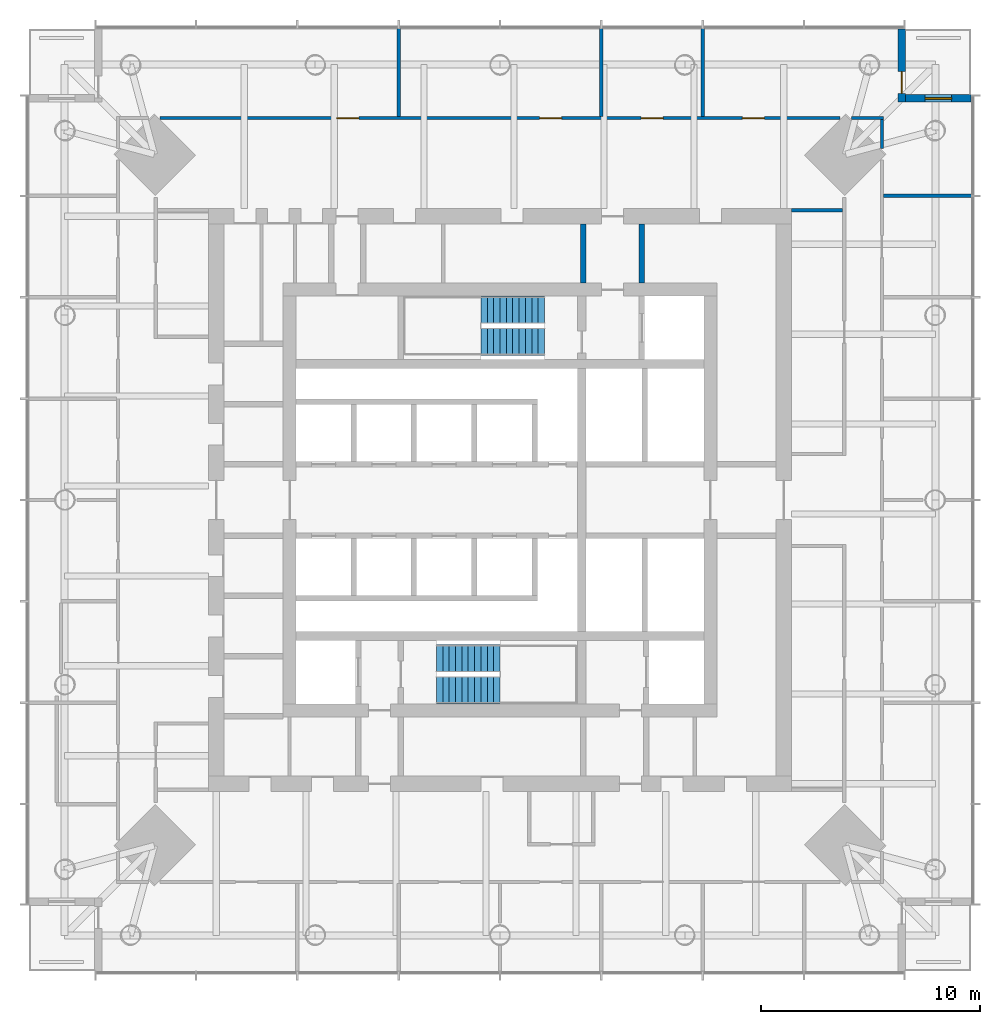
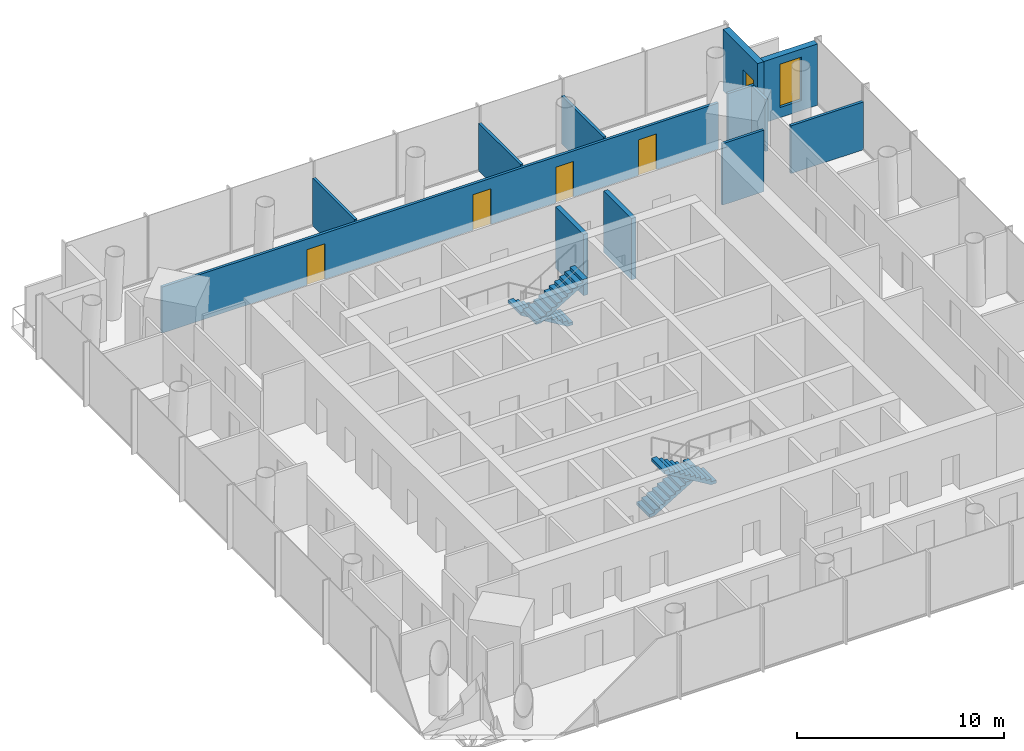
# One storey, part 8 of 9: 12 walls, 5 doors, 4 stair flights, 1 window, 6 openings, 2 elements without a shape of their own.
"""IFC4 building model written with IfcOpenShell, lengths in metres."""

from ifc_helpers import new_model, si_unit, direction, frame, frame_2d, origin, place, context, subcontext, project, spatial, polyline, rectangle, outline, extrude, material, layer, layer_set, type_object, element, fill, aggregate, save


model = new_model("IFC4")

# Units and contexts
model_context = context("Model", 3, precision=1e-05, world=origin(), true_north=direction((0.0, 1.0)))
body_context = subcontext(model_context, "Body", "Model", "MODEL_VIEW")
ifc_project = project(units=[si_unit("LENGTHUNIT", "METRE"), si_unit("AREAUNIT", "SQUARE_METRE"), si_unit("VOLUMEUNIT", "CUBIC_METRE"), si_unit("PLANEANGLEUNIT", "RADIAN"), si_unit("MASSUNIT", "GRAM", prefix="KILO")], contexts=[model_context])

# Site, building, storey
site_placement = place(None, origin())
site = spatial("IfcSite", under=ifc_project, at=site_placement, CompositionType="ELEMENT")
building_placement = place(site_placement, origin())
building = spatial("IfcBuilding", under=site, at=building_placement, Name="Ostroluk Exchange", CompositionType="ELEMENT")
storey_placement = place(building_placement, frame((0.0, 0.0, 150.199951171875)))
storey = spatial("IfcBuildingStorey", under=building, at=storey_placement, Name="L38", CompositionType="ELEMENT", Elevation=150.199951171875)

# Walls
ifc_material_1 = material(Name="Concrete blockwork", Category="masonry")
ifc_layer_1 = layer(ifc_material_1, 0.25)
ifc_layer_set_1 = layer_set([ifc_layer_1], Name="Blockwork stair enclosure wall 250")
wall_type_1 = type_object("IfcWallType", Name="Blockwork stair enclosure wall 250", PredefinedType="SOLIDWALL", material=ifc_layer_set_1)
for number, where, z_axis, x_axis, name in (
    (1, (48.804931640625, 55.89990234375, 0.0), (0.0, 0.0, 1.0), (0.0, 1.0, 0.0), "Fire lobby enclosure wall"),
    (2, (51.47509765625, 55.89990234375, 0.0), (0.0, 0.0, 1.0), (0.0, 1.0, 0.0), "Fire lobby enclosure wall"),
):
    element("IfcWall", number, at=place(storey_placement, frame(where, z_axis=z_axis, x_axis=x_axis)), inside=storey, type_object=wall_type_1, Name=name, PredefinedType="SOLIDWALL", context=body_context, shape_type="SweptSolid", body=[
        extrude(rectangle(XDim=2.7001953125, YDim=0.25, at=frame_2d((1.35009765625, 0.0))), origin(), (0.0, 0.0, 1.0), 3.6201171875),
    ])

# Wall, opening, door
ifc_material_2 = material(Name="Limestone", Category="masonry")
ifc_layer_2 = layer(ifc_material_2, 0.35009765625)
ifc_layer_set_2 = layer_set([ifc_layer_2], Name="Limestone facade wall 350")
wall_type_2 = type_object("IfcWallType", Name="Limestone facade wall 350", PredefinedType="SOLIDWALL", material=ifc_layer_set_2)
wall_1_placement = place(storey_placement, frame((63.324951171875, 67.5, 0.0), z_axis=(0.0, 0.0, 1.0), x_axis=(0.0, -1.0, 0.0)))
wall_1 = element("IfcWall", 3, at=wall_1_placement, inside=storey, type_object=wall_type_2, Name="Office tower NE corner wall L38 a", PredefinedType="SOLIDWALL", context=body_context, shape_type="SweptSolid", body=[
    extrude(rectangle(XDim=3.35009765625, YDim=0.35009765625, at=frame_2d((1.675048828125, 0.0))), origin(), (0.0, 0.0, 1.0), 3.6201171875),
])
opening_1_placement = place(wall_1_placement, frame((1.949951171875, 0.0, 0.0)))
opening_1 = element("IfcOpeningElement", 4, at=opening_1_placement, cuts=wall_1, Name="Opening D-B1", PredefinedType="OPENING", context=body_context, shape_type="SweptSolid", body=[
    extrude(rectangle(XDim=1.0, YDim=2.39990234375, at=frame_2d((0.5, 1.199951171875))), frame((0.0, 0.18505859375, 0.0), z_axis=(0.0, -1.0, 0.0), x_axis=(1.0, 0.0, 0.0)), (0.0, 0.0, 1.0), 0.3701171875),
])
ifc_material_3 = material(Name="Bronze framed glazed door", Category="aluminium")
door_type_1 = type_object("IfcDoorType", Name="Balcony door 1000 x 2400", OperationType="SINGLE_SWING_LEFT", PredefinedType="DOOR", material=ifc_material_3)
door_1_placement = place(opening_1_placement, origin())
door_1 = element("IfcDoor", 5, at=door_1_placement, inside=storey, type_object=door_type_1, Name="Office tower NE balcony door L38", OperationType="SINGLE_SWING_RIGHT", OverallHeight=2.39990234375, OverallWidth=1.0, PredefinedType="DOOR", context=body_context, shape_type="SweptSolid", body=[
    extrude(rectangle(XDim=1.0, YDim=2.39990234375, at=frame_2d((0.5, 1.199951171875))), frame((0.0, 0.02490234375, 0.0), z_axis=(0.0, -1.0, 0.0), x_axis=(1.0, 0.0, 0.0)), (0.0, 0.0, 1.0), 0.050048828125),
])
fill(opening_1, door_1)

# Wall, opening, window
wall_2_placement = place(storey_placement, frame((63.5, 64.324951171875, 0.0), z_axis=(0.0, 0.0, 1.0), x_axis=(1.0, 0.0, 0.0)))
wall_2 = element("IfcWall", 6, at=wall_2_placement, inside=storey, type_object=wall_type_2, Name="Office tower NE corner wall L38 b", PredefinedType="SOLIDWALL", context=body_context, shape_type="SweptSolid", body=[
    extrude(rectangle(XDim=3.0, YDim=0.35009765625, at=frame_2d((1.5, 0.0))), origin(), (0.0, 0.0, 1.0), 3.6201171875),
])
opening_2_placement = place(wall_2_placement, frame((0.89990234375, 0.0, 0.60009765625)))
opening_2 = element("IfcOpeningElement", 7, at=opening_2_placement, cuts=wall_2, Name="Opening WN-L1", PredefinedType="OPENING", context=body_context, shape_type="SweptSolid", body=[
    extrude(rectangle(XDim=1.199951171875, YDim=2.550048828125, at=frame_2d((0.60009765625, 1.27490234375))), frame((0.0, 0.18505859375, 0.0), z_axis=(0.0, -1.0, 0.0), x_axis=(1.0, 0.0, 0.0)), (0.0, 0.0, 1.0), 0.3701171875),
])
ifc_material_4 = material(Name="Laminated clear glass", Category="glass")
window_type = type_object("IfcWindowType", Name="Lancet window 1200 x 2550", PartitioningType="SINGLE_PANEL", PredefinedType="WINDOW", material=ifc_material_4)
window_placement = place(opening_2_placement, origin())
window = element("IfcWindow", 8, at=window_placement, inside=storey, type_object=window_type, Name="Office tower NE lancet window L38", OverallHeight=2.550048828125, OverallWidth=1.199951171875, PartitioningType="SINGLE_PANEL", PredefinedType="WINDOW", context=body_context, shape_type="SweptSolid", body=[
    extrude(rectangle(XDim=1.199951171875, YDim=2.550048828125, at=frame_2d((0.60009765625, 1.27490234375))), frame((0.0, 0.030029296875, 0.0), z_axis=(0.0, -1.0, 0.0), x_axis=(1.0, 0.0, 0.0)), (0.0, 0.0, 1.0), 0.06005859375),
])
fill(opening_2, window)

# Walls
ifc_material_5 = material(Name="Gypsum plasterboard partition", Category="gypsum")
ifc_layer_3 = layer(ifc_material_5, 0.14990234375)
ifc_layer_set_3 = layer_set([ifc_layer_3], Name="Plasterboard partition 150")
wall_type_3 = type_object("IfcWallType", Name="Plasterboard partition 150", PredefinedType="PARTITIONING", material=ifc_layer_set_3)
wall_3_placement = place(storey_placement, frame((58.300048828125, 59.22509765625, 0.0), z_axis=(0.0, 0.0, 1.0), x_axis=(1.0, 0.0, 0.0)))
element("IfcWall", 9, at=wall_3_placement, inside=storey, type_object=wall_type_3, Name="Partition", PredefinedType="PARTITIONING", context=body_context, shape_type="SweptSolid", body=[
    extrude(rectangle(XDim=2.324951171875, YDim=0.14990234375, at=frame_2d((1.16259765625, 0.0))), origin(), (0.0, 0.0, 1.0), 3.6201171875),
])
wall_4_placement = place(storey_placement, frame((62.425048828125, 62.03125, 0.0), z_axis=(0.0, 0.0, 1.0), x_axis=(0.0, 1.0, 0.0)))
element("IfcWall", 10, at=wall_4_placement, inside=storey, type_object=wall_type_3, Name="Partition", PredefinedType="PARTITIONING", context=body_context, shape_type="SweptSolid", body=[
    extrude(rectangle(XDim=1.31884765625, YDim=0.14990234375, at=frame_2d((0.659423828125, 0.0))), origin(), (0.0, 0.0, 1.0), 3.070068359375),
])
wall_5_placement = place(storey_placement, frame((62.5, 59.875, 0.0), z_axis=(0.0, 0.0, 1.0), x_axis=(1.0, 0.0, 0.0)))
element("IfcWall", 11, at=wall_5_placement, inside=storey, type_object=wall_type_3, Name="Partition", PredefinedType="PARTITIONING", context=body_context, shape_type="SweptSolid", body=[
    extrude(rectangle(XDim=4.0400390625, YDim=0.14990234375, at=frame_2d((2.02001953125, 0.0))), origin(), (0.0, 0.0, 1.0), 2.820068359375),
])
wall_6_placement = place(storey_placement, frame((62.5, 63.425048828125, 0.0), z_axis=(0.0, 0.0, 1.0), x_axis=(-1.0, 0.0, 0.0)))
element("IfcWall", 12, at=wall_6_placement, inside=storey, type_object=wall_type_3, Name="Partition", PredefinedType="PARTITIONING", context=body_context, shape_type="SweptSolid", body=[
    extrude(rectangle(XDim=1.46875, YDim=0.14990234375, at=frame_2d((0.734375, 0.0))), origin(), (0.0, 0.0, 1.0), 3.070068359375),
])

# Wall, openings, doors
wall_7_placement = place(storey_placement, frame((60.511474609375, 63.425048828125, 0.0), z_axis=(0.0, 0.0, 1.0), x_axis=(-1.0, 0.0, 0.0)))
wall_7 = element("IfcWall", 13, at=wall_7_placement, inside=storey, type_object=wall_type_3, Name="Partition", PredefinedType="PARTITIONING", context=body_context, shape_type="SweptSolid", body=[
    extrude(rectangle(XDim=31.02294921875, YDim=0.14990234375, at=frame_2d((15.511474609375, 0.0))), origin(), (0.0, 0.0, 1.0), 2.719970703125),
])
opening_3_placement = place(wall_7_placement, frame((3.448974609375, 0.0, 0.0)))
opening_3 = element("IfcOpeningElement", 14, at=opening_3_placement, cuts=wall_7, Name="Opening D-03", PredefinedType="OPENING", context=body_context, shape_type="SweptSolid", body=[
    extrude(rectangle(XDim=1.0, YDim=2.10009765625, at=frame_2d((0.5, 1.050048828125))), frame((0.0, 0.0849609375, 0.0), z_axis=(0.0, -1.0, 0.0), x_axis=(1.0, 0.0, 0.0)), (0.0, 0.0, 1.0), 0.169921875),
])
opening_4_placement = place(wall_7_placement, frame((8.073974609375, 0.0, 0.0)))
opening_4 = element("IfcOpeningElement", 15, at=opening_4_placement, cuts=wall_7, Name="Opening D-03", PredefinedType="OPENING", context=body_context, shape_type="SweptSolid", body=[
    extrude(rectangle(XDim=1.0, YDim=2.10009765625, at=frame_2d((0.5, 1.050048828125))), frame((0.0, 0.0849609375, 0.0), z_axis=(0.0, -1.0, 0.0), x_axis=(1.0, 0.0, 0.0)), (0.0, 0.0, 1.0), 0.169921875),
])
opening_5_placement = place(wall_7_placement, frame((12.698974609375, 0.0, 0.0)))
opening_5 = element("IfcOpeningElement", 16, at=opening_5_placement, cuts=wall_7, Name="Opening D-03", PredefinedType="OPENING", context=body_context, shape_type="SweptSolid", body=[
    extrude(rectangle(XDim=1.0, YDim=2.10009765625, at=frame_2d((0.5, 1.050048828125))), frame((0.0, 0.0849609375, 0.0), z_axis=(0.0, -1.0, 0.0), x_axis=(1.0, 0.0, 0.0)), (0.0, 0.0, 1.0), 0.169921875),
])
opening_6_placement = place(wall_7_placement, frame((21.948974609375, 0.0, 0.0)))
opening_6 = element("IfcOpeningElement", 17, at=opening_6_placement, cuts=wall_7, Name="Opening D-03", PredefinedType="OPENING", context=body_context, shape_type="SweptSolid", body=[
    extrude(rectangle(XDim=1.0, YDim=2.10009765625, at=frame_2d((0.5, 1.050048828125))), frame((0.0, 0.0849609375, 0.0), z_axis=(0.0, -1.0, 0.0), x_axis=(1.0, 0.0, 0.0)), (0.0, 0.0, 1.0), 0.169921875),
])
ifc_material_6 = material(Name="Timber", Category="wood")
door_type_2 = type_object("IfcDoorType", Name="Internal door 1000 x 2100", OperationType="SINGLE_SWING_LEFT", PredefinedType="DOOR", material=ifc_material_6)
door_2_placement = place(opening_3_placement, origin())
door_2 = element("IfcDoor", 18, at=door_2_placement, inside=storey, type_object=door_type_2, Name="Office suite door", OperationType="SINGLE_SWING_LEFT", OverallHeight=2.10009765625, OverallWidth=1.0, PredefinedType="DOOR", context=body_context, shape_type="SweptSolid", body=[
    extrude(rectangle(XDim=1.0, YDim=2.10009765625, at=frame_2d((0.5, 1.050048828125))), frame((0.0, 0.02490234375, 0.0), z_axis=(0.0, -1.0, 0.0), x_axis=(1.0, 0.0, 0.0)), (0.0, 0.0, 1.0), 0.050048828125),
])
fill(opening_3, door_2)
door_3_placement = place(opening_4_placement, origin())
door_3 = element("IfcDoor", 19, at=door_3_placement, inside=storey, type_object=door_type_2, Name="Meeting room door", OperationType="SINGLE_SWING_LEFT", OverallHeight=2.10009765625, OverallWidth=1.0, PredefinedType="DOOR", context=body_context, shape_type="SweptSolid", body=[
    extrude(rectangle(XDim=1.0, YDim=2.10009765625, at=frame_2d((0.5, 1.050048828125))), frame((0.0, 0.02490234375, 0.0), z_axis=(0.0, -1.0, 0.0), x_axis=(1.0, 0.0, 0.0)), (0.0, 0.0, 1.0), 0.050048828125),
])
fill(opening_4, door_3)
door_4_placement = place(opening_5_placement, origin())
door_4 = element("IfcDoor", 20, at=door_4_placement, inside=storey, type_object=door_type_2, Name="Office door", OperationType="SINGLE_SWING_LEFT", OverallHeight=2.10009765625, OverallWidth=1.0, PredefinedType="DOOR", context=body_context, shape_type="SweptSolid", body=[
    extrude(rectangle(XDim=1.0, YDim=2.10009765625, at=frame_2d((0.5, 1.050048828125))), frame((0.0, 0.02490234375, 0.0), z_axis=(0.0, -1.0, 0.0), x_axis=(1.0, 0.0, 0.0)), (0.0, 0.0, 1.0), 0.050048828125),
])
fill(opening_5, door_4)
door_5_placement = place(opening_6_placement, origin())
door_5 = element("IfcDoor", 21, at=door_5_placement, inside=storey, type_object=door_type_2, Name="Office door", OperationType="SINGLE_SWING_RIGHT", OverallHeight=2.10009765625, OverallWidth=1.0, PredefinedType="DOOR", context=body_context, shape_type="SweptSolid", body=[
    extrude(rectangle(XDim=1.0, YDim=2.10009765625, at=frame_2d((0.5, 1.050048828125))), frame((0.0, 0.02490234375, 0.0), z_axis=(0.0, -1.0, 0.0), x_axis=(1.0, 0.0, 0.0)), (0.0, 0.0, 1.0), 0.050048828125),
])
fill(opening_6, door_5)

# Walls
for number, where, z_axis, x_axis, name in (
    (22, (54.25, 63.5, 0.0), (0.0, 0.0, 1.0), (0.0, 1.0, 0.0), "Partition"),
    (23, (49.625, 63.5, 0.0), (0.0, 0.0, 1.0), (0.0, 1.0, 0.0), "Partition"),
    (24, (40.375, 63.5, 0.0), (0.0, 0.0, 1.0), (0.0, 1.0, 0.0), "Partition"),
):
    element("IfcWall", number, at=place(storey_placement, frame(where, z_axis=z_axis, x_axis=x_axis)), inside=storey, type_object=wall_type_3, Name=name, PredefinedType="PARTITIONING", context=body_context, shape_type="SweptSolid", body=[
        extrude(rectangle(XDim=4.0400390625, YDim=0.14990234375, at=frame_2d((2.02001953125, 0.0))), origin(), (0.0, 0.0, 1.0), 2.820068359375),
    ])

# Stair, stair flights
ifc_material_7 = material(Name="Concrete C30/37", Category="concrete")
stair_type = type_object("IfcStairType", Name="Exit stair half turn 3800", PredefinedType="HALF_TURN_STAIR", material=ifc_material_7)
stair_1_placement = place(storey_placement, origin())
stair_1 = element("IfcStair", 25, at=stair_1_placement, inside=storey, type_object=stair_type, Name="Stair T1-S1 L38", PredefinedType="HALF_TURN_STAIR")
ifc_material_8 = material(Name="Concrete C30/37", Category="concrete")
stair_flight_type = type_object("IfcStairFlightType", Name="Stair flight 11 risers 172.7 x 290", PredefinedType="STRAIGHT", material=ifc_material_8)
stair_flight_1_placement = place(storey_placement, frame((42.10009765625, 38.77490234375, 0.0), z_axis=(0.0, 0.0, 1.0), x_axis=(1.0, 0.0, 0.0)))
stair_flight_1 = element("IfcStairFlight", 26, at=stair_flight_1_placement, type_object=stair_flight_type, Name="T1-S1 flight 1", NumberOfRisers=11, NumberOfTreads=10, PredefinedType="STRAIGHT", RiserHeight=0.172727273, TreadLength=0.29, context=body_context, shape_type="SweptSolid", body=[
    extrude(outline(polyline([(0.0, 0.0), (0.0, 0.172607421875), (0.2900390625, 0.172607421875), (0.2900390625, 0.345458984375), (0.580078125, 0.345458984375), (0.580078125, 0.51806640625), (0.8701171875, 0.51806640625), (0.8701171875, 0.69091796875), (1.159912109375, 0.69091796875), (1.159912109375, 0.863525390625), (1.449951171875, 0.863525390625), (1.449951171875, 1.036376953125), (1.739990234375, 1.036376953125), (1.739990234375, 1.208984375), (2.030029296875, 1.208984375), (2.030029296875, 1.3818359375), (2.320068359375, 1.3818359375), (2.320068359375, 1.554443359375), (2.610107421875, 1.554443359375), (2.610107421875, 1.727294921875), (2.89990234375, 1.727294921875), (2.89990234375, 1.89990234375), (2.89990234375, 1.552734375), (0.29296875, 0.0), (0.0, 0.0)])), frame((0.0, 0.625, 0.0), z_axis=(0.0, -1.0, 0.0), x_axis=(1.0, 0.0, 0.0)), (0.0, 0.0, 1.0), 1.25),
])
stair_flight_2_placement = place(storey_placement, frame((45.0, 37.324951171875, 1.900146484375), z_axis=(0.0, 0.0, 1.0), x_axis=(-1.0, 0.0, 0.0)))
stair_flight_2 = element("IfcStairFlight", 27, at=stair_flight_2_placement, type_object=stair_flight_type, Name="T1-S1 flight 2", NumberOfRisers=11, NumberOfTreads=10, PredefinedType="STRAIGHT", RiserHeight=0.172727273, TreadLength=0.29, context=body_context, shape_type="SweptSolid", body=[
    extrude(outline(polyline([(0.0, 0.0), (0.0, 0.172607421875), (0.2900390625, 0.172607421875), (0.2900390625, 0.345458984375), (0.580078125, 0.345458984375), (0.580078125, 0.51806640625), (0.8701171875, 0.51806640625), (0.8701171875, 0.69091796875), (1.159912109375, 0.69091796875), (1.159912109375, 0.863525390625), (1.449951171875, 0.863525390625), (1.449951171875, 1.036376953125), (1.739990234375, 1.036376953125), (1.739990234375, 1.208984375), (2.030029296875, 1.208984375), (2.030029296875, 1.3818359375), (2.320068359375, 1.3818359375), (2.320068359375, 1.554443359375), (2.610107421875, 1.554443359375), (2.610107421875, 1.727294921875), (2.89990234375, 1.727294921875), (2.89990234375, 1.89990234375), (2.89990234375, 1.552734375), (0.29296875, 0.0), (0.0, 0.0)])), frame((0.0, 0.625, 0.0), z_axis=(0.0, -1.0, 0.0), x_axis=(1.0, 0.0, 0.0)), (0.0, 0.0, 1.0), 1.25),
])
aggregate(stair_1, [stair_flight_1, stair_flight_2])

stair_2_placement = place(storey_placement, origin())
stair_2 = element("IfcStair", 28, at=stair_2_placement, inside=storey, type_object=stair_type, Name="Stair T1-S2 L38", PredefinedType="HALF_TURN_STAIR")
stair_flight_3_placement = place(storey_placement, frame((47.030029296875, 54.675048828125, 0.0), z_axis=(0.0, 0.0, 1.0), x_axis=(-1.0, 0.0, 0.0)))
stair_flight_3 = element("IfcStairFlight", 29, at=stair_flight_3_placement, type_object=stair_flight_type, Name="T1-S2 flight 1", NumberOfRisers=11, NumberOfTreads=10, PredefinedType="STRAIGHT", RiserHeight=0.172727273, TreadLength=0.29, context=body_context, shape_type="SweptSolid", body=[
    extrude(outline(polyline([(0.0, 0.0), (0.0, 0.172607421875), (0.2900390625, 0.172607421875), (0.2900390625, 0.345458984375), (0.580078125, 0.345458984375), (0.580078125, 0.51806640625), (0.8701171875, 0.51806640625), (0.8701171875, 0.69091796875), (1.159912109375, 0.69091796875), (1.159912109375, 0.863525390625), (1.449951171875, 0.863525390625), (1.449951171875, 1.036376953125), (1.739990234375, 1.036376953125), (1.739990234375, 1.208984375), (2.030029296875, 1.208984375), (2.030029296875, 1.3818359375), (2.320068359375, 1.3818359375), (2.320068359375, 1.554443359375), (2.610107421875, 1.554443359375), (2.610107421875, 1.727294921875), (2.89990234375, 1.727294921875), (2.89990234375, 1.89990234375), (2.89990234375, 1.552734375), (0.29296875, 0.0), (0.0, 0.0)])), frame((0.0, 0.625, 0.0), z_axis=(0.0, -1.0, 0.0), x_axis=(1.0, 0.0, 0.0)), (0.0, 0.0, 1.0), 1.25),
])
stair_flight_4_placement = place(storey_placement, frame((44.1298828125, 53.22509765625, 1.900146484375), z_axis=(0.0, 0.0, 1.0), x_axis=(1.0, 0.0, 0.0)))
stair_flight_4 = element("IfcStairFlight", 30, at=stair_flight_4_placement, type_object=stair_flight_type, Name="T1-S2 flight 2", NumberOfRisers=11, NumberOfTreads=10, PredefinedType="STRAIGHT", RiserHeight=0.172727273, TreadLength=0.29, context=body_context, shape_type="SweptSolid", body=[
    extrude(outline(polyline([(0.0, 0.0), (0.0, 0.172607421875), (0.2900390625, 0.172607421875), (0.2900390625, 0.345458984375), (0.580078125, 0.345458984375), (0.580078125, 0.51806640625), (0.8701171875, 0.51806640625), (0.8701171875, 0.69091796875), (1.159912109375, 0.69091796875), (1.159912109375, 0.863525390625), (1.449951171875, 0.863525390625), (1.449951171875, 1.036376953125), (1.739990234375, 1.036376953125), (1.739990234375, 1.208984375), (2.030029296875, 1.208984375), (2.030029296875, 1.3818359375), (2.320068359375, 1.3818359375), (2.320068359375, 1.554443359375), (2.610107421875, 1.554443359375), (2.610107421875, 1.727294921875), (2.89990234375, 1.727294921875), (2.89990234375, 1.89990234375), (2.89990234375, 1.552734375), (0.29296875, 0.0), (0.0, 0.0)])), frame((0.0, 0.625, 0.0), z_axis=(0.0, -1.0, 0.0), x_axis=(1.0, 0.0, 0.0)), (0.0, 0.0, 1.0), 1.25),
])
aggregate(stair_2, [stair_flight_3, stair_flight_4])

save(model, "model.ifc")
